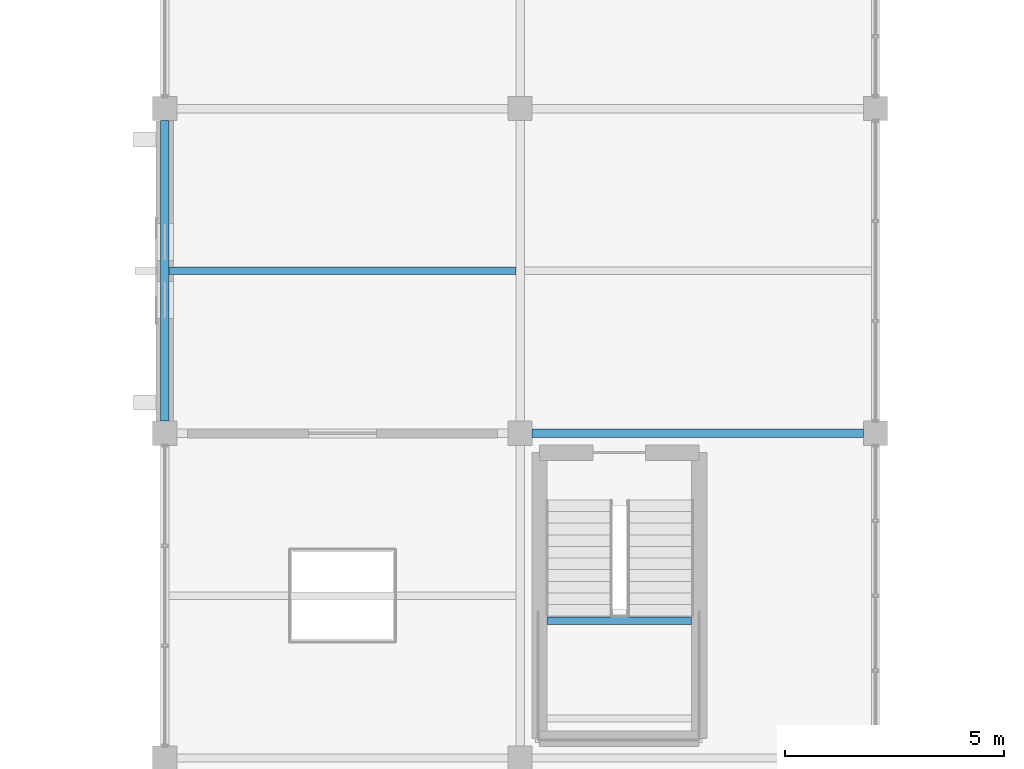
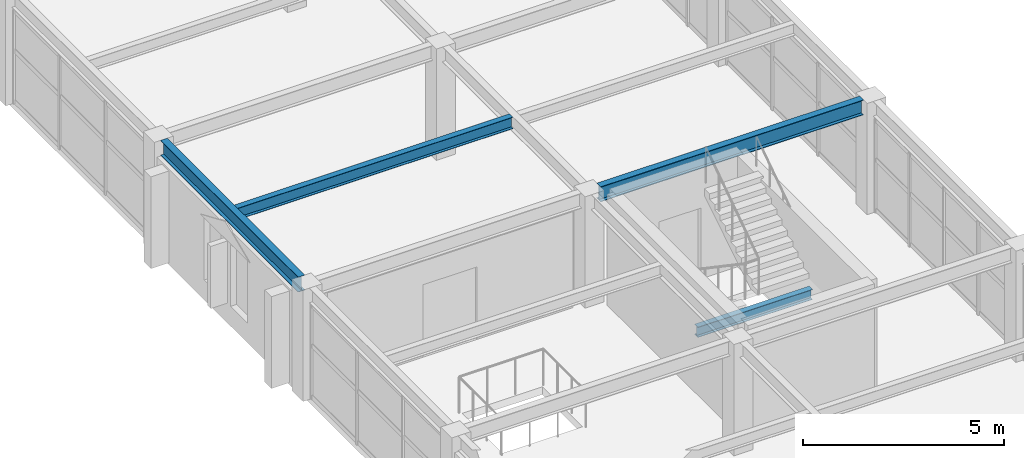
# One storey, part 20 of 93: 4 beams.
"""IFC4 building model written with IfcOpenShell, lengths in metres."""

from ifc_helpers import new_model, si_unit, direction, frame, origin, origin_2d, place, context, subcontext, project, spatial, i_section, extrude, material, material_profile, profile_set, type_object, element, save


model = new_model("IFC4")

# Units and contexts
model_context = context("Model", 3, precision=1e-05, world=origin(), true_north=direction((0.0, 1.0)))
body_context = subcontext(model_context, "Body", "Model", "MODEL_VIEW")
ifc_project = project(units=[si_unit("LENGTHUNIT", "METRE"), si_unit("AREAUNIT", "SQUARE_METRE"), si_unit("VOLUMEUNIT", "CUBIC_METRE"), si_unit("PLANEANGLEUNIT", "RADIAN"), si_unit("MASSUNIT", "GRAM", prefix="KILO")], contexts=[model_context])

# Site, building, storey
site_placement = place(None, origin())
site = spatial("IfcSite", under=ifc_project, at=site_placement, CompositionType="ELEMENT")
building_placement = place(site_placement, origin())
building = spatial("IfcBuilding", under=site, at=building_placement, Name="Cimatlan Art Gallery", CompositionType="ELEMENT")
storey_placement = place(building_placement, frame((0.0, 0.0, 13.800048828125)))
storey = spatial("IfcBuildingStorey", under=building, at=storey_placement, Name="L03", CompositionType="ELEMENT", Elevation=13.800048828125)

# Beams
ifc_material = material(Name="Steel ASTM A992 Grade 50", Category="steel")
ifc_material_profile_1 = material_profile(ifc_material, i_section(OverallWidth=0.1650390625, OverallDepth=0.31005859375, WebThickness=0.005859375, FlangeThickness=0.009765625, at=origin_2d()), Name="W12X26")
ifc_profile_set_1 = profile_set([ifc_material_profile_1], Name="Steel ASTM A992 Grade 50")
beam_type_1 = type_object("IfcBeamType", Name="BM-STL-W12X26", PredefinedType="JOIST", material=ifc_profile_set_1)
beam_1_placement = place(storey_placement, frame((43.114990234375, 56.6298828125, 1.425048828125), z_axis=(1.0, 0.0, 0.0), x_axis=(0.0, 1.0, 0.0)))
element("IfcBeam", 1, at=beam_1_placement, inside=storey, type_object=beam_type_1, Name="BM-STR-C8-L03-LH2", PredefinedType="JOIST", context=body_context, shape_type="SweptSolid", body=[
    extrude(i_section(OverallWidth=0.1650390625, OverallDepth=0.31005859375, WebThickness=0.005859375, FlangeThickness=0.009765625, at=origin_2d()), origin(), (0.0, 0.0, 1.0), 3.2900390625),
])
ifc_material_profile_2 = material_profile(ifc_material, i_section(OverallWidth=0.1708984375, OverallDepth=0.35107421875, WebThickness=0.0068359375, FlangeThickness=0.009765625, at=origin_2d()), Name="W14X30")
ifc_profile_set_2 = profile_set([ifc_material_profile_2], Name="Steel ASTM A992 Grade 50")
beam_type_2 = type_object("IfcBeamType", Name="BM-STL-W14X30", PredefinedType="JOIST", material=ifc_profile_set_2)
beam_2_placement = place(storey_placement, frame((34.49560546875, 64.60009765625, 3.204345703125), z_axis=(1.0, 0.0, 0.0), x_axis=(0.0, 1.0, 0.0)))
element("IfcBeam", 2, at=beam_2_placement, inside=storey, type_object=beam_type_2, Name="JST-L03-04-08", PredefinedType="JOIST", context=body_context, shape_type="SweptSolid", body=[
    extrude(i_section(OverallWidth=0.1708984375, OverallDepth=0.35107421875, WebThickness=0.0068359375, FlangeThickness=0.009765625, at=origin_2d()), origin(), (0.0, 0.0, 1.0), 7.908935546875),
])
ifc_material_profile_3 = material_profile(ifc_material, i_section(OverallWidth=0.19091796875, OverallDepth=0.45703125, WebThickness=0.009033203125, FlangeThickness=0.014404296875, at=origin_2d()), Name="W18X50")
ifc_profile_set_3 = profile_set([ifc_material_profile_3], Name="Steel ASTM A992 Grade 50")
beam_type_3 = type_object("IfcBeamType", Name="BM-STL-W18X50", PredefinedType="BEAM", material=ifc_profile_set_3)
beam_3_placement = place(storey_placement, frame((34.39990234375, 61.175048828125, 3.1513671875), z_axis=(0.0, 1.0, 0.0), x_axis=(-1.0, 0.0, 0.0)))
element("IfcBeam", 3, at=beam_3_placement, inside=storey, type_object=beam_type_3, Name="BM-Y-L03-04-08", PredefinedType="BEAM", context=body_context, shape_type="SweptSolid", body=[
    extrude(i_section(OverallWidth=0.19091796875, OverallDepth=0.45703125, WebThickness=0.009033203125, FlangeThickness=0.014404296875, at=origin_2d()), origin(), (0.0, 0.0, 1.0), 6.849853515625),
])
beam_4_placement = place(storey_placement, frame((42.77490234375, 60.89990234375, 3.1513671875), z_axis=(1.0, 0.0, 0.0), x_axis=(0.0, 1.0, 0.0)))
element("IfcBeam", 4, at=beam_4_placement, inside=storey, type_object=beam_type_3, Name="BM-X-L03-05-08", PredefinedType="BEAM", context=body_context, shape_type="SweptSolid", body=[
    extrude(i_section(OverallWidth=0.19091796875, OverallDepth=0.45703125, WebThickness=0.009033203125, FlangeThickness=0.014404296875, at=origin_2d()), origin(), (0.0, 0.0, 1.0), 7.550048828125),
])

save(model, "model.ifc")
